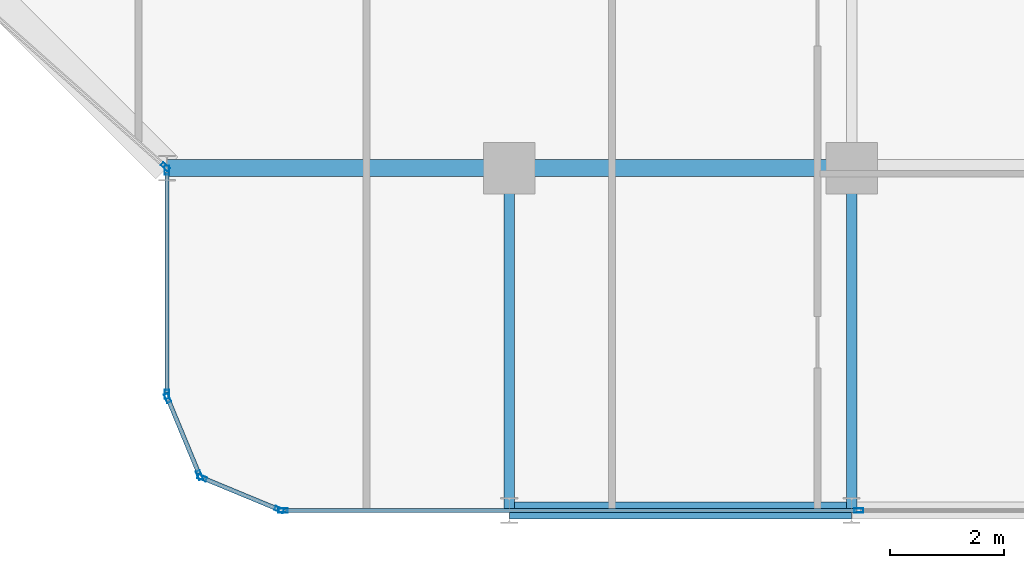
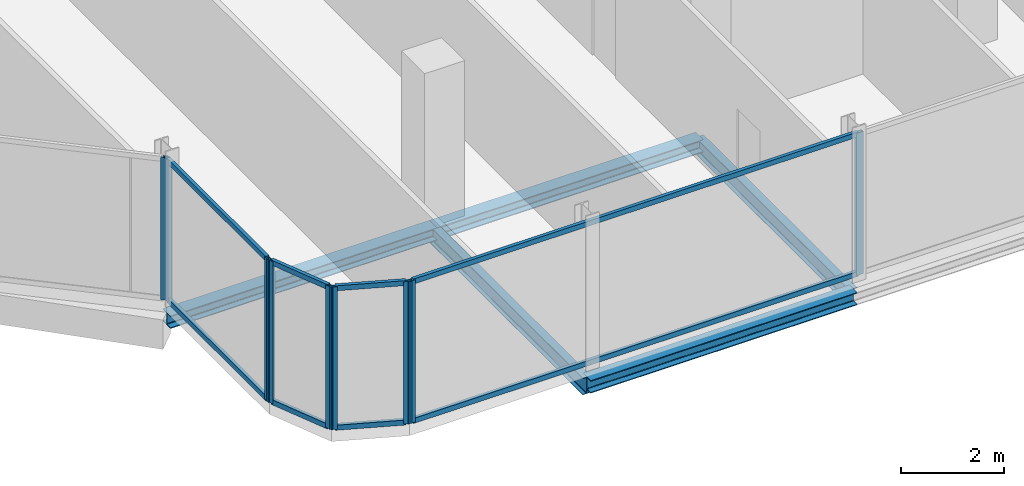
# One storey, part 6 of 29: 17 members, 5 beams, 5 elements without a shape of their own.
"""IFC4 building model written with IfcOpenShell, lengths in metres."""

from ifc_helpers import new_model, si_unit, direction, frame, origin, origin_2d, place, context, subcontext, project, spatial, hollow_rectangle, i_section, extrude, material, layer, layer_set, material_profile, profile_set, type_object, element, aggregate, save


model = new_model("IFC4")

# Units and contexts
model_context = context("Model", 3, precision=1e-05, world=origin(), true_north=direction((0.0, 1.0)))
body_context = subcontext(model_context, "Body", "Model", "MODEL_VIEW")
ifc_project = project(units=[si_unit("LENGTHUNIT", "METRE"), si_unit("AREAUNIT", "SQUARE_METRE"), si_unit("VOLUMEUNIT", "CUBIC_METRE"), si_unit("PLANEANGLEUNIT", "RADIAN"), si_unit("MASSUNIT", "GRAM", prefix="KILO")], contexts=[model_context])

# Site, building, storey
site_placement = place(None, origin())
site = spatial("IfcSite", under=ifc_project, at=site_placement, CompositionType="ELEMENT")
building_placement = place(site_placement, origin())
building = spatial("IfcBuilding", under=site, at=building_placement, Name="Keshet Zoharim Tower", CompositionType="ELEMENT")
storey_placement = place(building_placement, frame((0.0, 0.0, 199.5)))
storey = spatial("IfcBuildingStorey", under=building, at=storey_placement, Name="L49", CompositionType="ELEMENT", Elevation=199.5)

# Beams
ifc_material_1 = material(Name="Steel S355", Category="steel")
ifc_material_profile_1 = material_profile(ifc_material_1, i_section(OverallWidth=0.300048828125, OverallDepth=0.300048828125, WebThickness=0.010986328125, FlangeThickness=0.01904296875, FilletRadius=0.027099609375, at=origin_2d()), Name="HEB300")
ifc_profile_set_1 = profile_set([ifc_material_profile_1], Name="Steel S355")
beam_type_1 = type_object("IfcBeamType", Name="BM-PRI-HB300", PredefinedType="BEAM", material=ifc_profile_set_1)
for number, where, z_axis, x_axis, name in (
    (1, (27.0, 0.699951171875, -0.4599609375), (1.0, 0.0, 0.0), (0.0, 1.0, 0.0), "L49 Primary Girder X-001"),
    (2, (21.0, 6.699951171875, -0.4599609375), (1.0, 0.0, 0.0), (0.0, 1.0, 0.0), "L49 Primary Girder X-005"),
    (3, (27.0, 6.699951171875, -0.4599609375), (1.0, 0.0, 0.0), (0.0, 1.0, 0.0), "L49 Primary Girder X-006"),
):
    element("IfcBeam", number, at=place(storey_placement, frame(where, z_axis=z_axis, x_axis=x_axis)), inside=storey, type_object=beam_type_1, Name=name, PredefinedType="BEAM", context=body_context, shape_type="SweptSolid", body=[
        extrude(i_section(OverallWidth=0.300048828125, OverallDepth=0.300048828125, WebThickness=0.010986328125, FlangeThickness=0.01904296875, FilletRadius=0.027099609375, at=origin_2d()), origin(), (0.0, 0.0, 1.0), 6.0),
    ])
ifc_material_profile_2 = material_profile(ifc_material_1, i_section(OverallWidth=0.179931640625, OverallDepth=0.39990234375, WebThickness=0.008544921875, FlangeThickness=0.013427734375, FilletRadius=0.02099609375, at=origin_2d()), Name="IPE400")
ifc_profile_set_2 = profile_set([ifc_material_profile_2], Name="Steel S355")
beam_type_2 = type_object("IfcBeamType", Name="BM-PRI-IP400", PredefinedType="BEAM", material=ifc_profile_set_2)
for number, where, z_axis, x_axis, name in (
    (4, (27.0, 0.699951171875, -0.510009765625), (0.0, 1.0, 0.0), (-1.0, 0.0, 0.0), "L49 Primary Girder Y-004"),
    (5, (33.0, 0.699951171875, -0.510009765625), (0.0, 1.0, 0.0), (-1.0, 0.0, 0.0), "L49 Primary Girder Y-005"),
):
    element("IfcBeam", number, at=place(storey_placement, frame(where, z_axis=z_axis, x_axis=x_axis)), inside=storey, type_object=beam_type_2, Name=name, PredefinedType="BEAM", context=body_context, shape_type="SweptSolid", body=[
        extrude(i_section(OverallWidth=0.179931640625, OverallDepth=0.39990234375, WebThickness=0.008544921875, FlangeThickness=0.013427734375, FilletRadius=0.02099609375, at=origin_2d()), origin(), (0.0, 0.0, 1.0), 6.0),
    ])

# Curtain wall, members
ifc_material_2 = material(Name="Aluminium 6063-T6", Category="aluminium")
ifc_layer = layer(ifc_material_2, 0.139892578125)
ifc_layer_set = layer_set([ifc_layer], Name="Aluminium 6063-T6")
curtain_wall_type = type_object("IfcCurtainWallType", Name="CW-SYS-05", PredefinedType="NOTDEFINED", material=ifc_layer_set)
curtain_wall_1_placement = place(storey_placement, origin())
curtain_wall_1 = element("IfcCurtainWall", 6, at=curtain_wall_1_placement, inside=storey, type_object=curtain_wall_type, Name="L49 Unitised Curtain Wall 06 Part 3", PredefinedType="NOTDEFINED")
ifc_material_profile_3 = material_profile(ifc_material_2, hollow_rectangle(XDim=0.074951171875, YDim=0.159912109375, WallThickness=0.00390625, at=origin_2d()), Name="MUL-75x160")
ifc_profile_set_3 = profile_set([ifc_material_profile_3], Name="Aluminium 6063-T6")
member_type_1 = type_object("IfcMemberType", Name="CWM-M15", PredefinedType="MULLION", material=ifc_profile_set_3)
member_1_placement = place(storey_placement, frame((33.1259765625, 0.699951171875, 0.0), z_axis=(0.0, 0.0, 1.0), x_axis=(0.0, -1.0, 0.0)))
member_1 = element("IfcMember", 7, at=member_1_placement, type_object=member_type_1, Name="CW-05 mullion 2", PredefinedType="MULLION", context=body_context, shape_type="SweptSolid", body=[
    extrude(hollow_rectangle(XDim=0.074951171875, YDim=0.159912109375, WallThickness=0.00390625, at=origin_2d()), origin(), (0.0, 0.0, 1.0), 3.389892578125),
])
member_2_placement = place(storey_placement, frame((23.034912109375, 0.699951171875, 0.0), z_axis=(0.0, 0.0, 1.0), x_axis=(0.0, -1.0, 0.0)))
member_2 = element("IfcMember", 8, at=member_2_placement, type_object=member_type_1, Name="CW-05 mullion 3", PredefinedType="MULLION", context=body_context, shape_type="SweptSolid", body=[
    extrude(hollow_rectangle(XDim=0.074951171875, YDim=0.159912109375, WallThickness=0.00390625, at=origin_2d()), origin(), (0.0, 0.0, 1.0), 3.389892578125),
])

curtain_wall_2_placement = place(storey_placement, origin())
curtain_wall_2 = element("IfcCurtainWall", 9, at=curtain_wall_2_placement, inside=storey, type_object=curtain_wall_type, Name="L49 Unitised Curtain Wall 07", PredefinedType="NOTDEFINED")
member_3_placement = place(storey_placement, frame((22.9677734375, 0.71337890625, 0.0), z_axis=(0.0, 0.0, 1.0), x_axis=(-0.382851849847, -0.92380975372, 0.0)))
member_3 = element("IfcMember", 10, at=member_3_placement, type_object=member_type_1, Name="CW-05 mullion 1", PredefinedType="MULLION", context=body_context, shape_type="SweptSolid", body=[
    extrude(hollow_rectangle(XDim=0.074951171875, YDim=0.159912109375, WallThickness=0.00390625, at=origin_2d()), origin(), (0.0, 0.0, 1.0), 3.389892578125),
])
member_4_placement = place(storey_placement, frame((21.618408203125, 1.272705078125, 0.0), z_axis=(0.0, 0.0, 1.0), x_axis=(-0.382851849847, -0.92380975372, 0.0)))
member_4 = element("IfcMember", 11, at=member_4_placement, type_object=member_type_1, Name="CW-05 mullion 2", PredefinedType="MULLION", context=body_context, shape_type="SweptSolid", body=[
    extrude(hollow_rectangle(XDim=0.074951171875, YDim=0.159912109375, WallThickness=0.00390625, at=origin_2d()), origin(), (0.0, 0.0, 1.0), 3.389892578125),
])

curtain_wall_3_placement = place(storey_placement, origin())
curtain_wall_3 = element("IfcCurtainWall", 12, at=curtain_wall_3_placement, inside=storey, type_object=curtain_wall_type, Name="L49 Unitised Curtain Wall 08", PredefinedType="NOTDEFINED")
member_5_placement = place(storey_placement, frame((21.572509765625, 1.318359375, 0.0), z_axis=(0.0, 0.0, 1.0), x_axis=(-0.92380975372, -0.382851849847, 0.0)))
member_5 = element("IfcMember", 13, at=member_5_placement, type_object=member_type_1, Name="CW-05 mullion 1", PredefinedType="MULLION", context=body_context, shape_type="SweptSolid", body=[
    extrude(hollow_rectangle(XDim=0.074951171875, YDim=0.159912109375, WallThickness=0.00390625, at=origin_2d()), origin(), (0.0, 0.0, 1.0), 3.389892578125),
])
member_6_placement = place(storey_placement, frame((21.013427734375, 2.667724609375, 0.0), z_axis=(0.0, 0.0, 1.0), x_axis=(-0.92380975372, -0.382851849847, 0.0)))
member_6 = element("IfcMember", 14, at=member_6_placement, type_object=member_type_1, Name="CW-05 mullion 2", PredefinedType="MULLION", context=body_context, shape_type="SweptSolid", body=[
    extrude(hollow_rectangle(XDim=0.074951171875, YDim=0.159912109375, WallThickness=0.00390625, at=origin_2d()), origin(), (0.0, 0.0, 1.0), 3.389892578125),
])

curtain_wall_4_placement = place(storey_placement, origin())
curtain_wall_4 = element("IfcCurtainWall", 15, at=curtain_wall_4_placement, inside=storey, type_object=curtain_wall_type, Name="L49 Unitised Curtain Wall 09", PredefinedType="NOTDEFINED")
member_7_placement = place(storey_placement, frame((21.0, 2.735107421875, 0.0), z_axis=(0.0, 0.0, 1.0), x_axis=(-1.0, 0.0, 0.0)))
member_7 = element("IfcMember", 16, at=member_7_placement, type_object=member_type_1, Name="CW-05 mullion 1", PredefinedType="MULLION", context=body_context, shape_type="SweptSolid", body=[
    extrude(hollow_rectangle(XDim=0.074951171875, YDim=0.159912109375, WallThickness=0.00390625, at=origin_2d()), origin(), (0.0, 0.0, 1.0), 3.389892578125),
])
member_8_placement = place(storey_placement, frame((21.0, 6.6650390625, 0.0), z_axis=(0.0, 0.0, 1.0), x_axis=(-1.0, 0.0, 0.0)))
member_8 = element("IfcMember", 17, at=member_8_placement, type_object=member_type_1, Name="CW-05 mullion 2", PredefinedType="MULLION", context=body_context, shape_type="SweptSolid", body=[
    extrude(hollow_rectangle(XDim=0.074951171875, YDim=0.159912109375, WallThickness=0.00390625, at=origin_2d()), origin(), (0.0, 0.0, 1.0), 3.389892578125),
])

# Curtain wall, member
curtain_wall_5_placement = place(storey_placement, origin())
curtain_wall_5 = element("IfcCurtainWall", 18, at=curtain_wall_5_placement, inside=storey, type_object=curtain_wall_type, Name="L49 Unitised Curtain Wall 10", PredefinedType="NOTDEFINED")
member_9_placement = place(storey_placement, frame((20.973876953125, 6.72314453125, 0.0), z_axis=(0.0, 0.0, 1.0), x_axis=(-0.664367613066, -0.74740596379, 0.0)))
member_9 = element("IfcMember", 19, at=member_9_placement, type_object=member_type_1, Name="CW-05 mullion 1", PredefinedType="MULLION", context=body_context, shape_type="SweptSolid", body=[
    extrude(hollow_rectangle(XDim=0.074951171875, YDim=0.159912109375, WallThickness=0.00390625, at=origin_2d()), origin(), (0.0, 0.0, 1.0), 3.389892578125),
])
aggregate(curtain_wall_5, [member_9])

# Member
ifc_material_profile_4 = material_profile(ifc_material_2, hollow_rectangle(XDim=0.074951171875, YDim=0.1201171875, WallThickness=0.00390625, at=origin_2d()), Name="TRN-75x120")
ifc_profile_set_4 = profile_set([ifc_material_profile_4], Name="Aluminium 6063-T6")
member_type_2 = type_object("IfcMemberType", Name="CWT-T12", PredefinedType="USERDEFINED", material=ifc_profile_set_4)
member_10_placement = place(storey_placement, frame((33.091064453125, 0.699951171875, 0.034912109375), z_axis=(-1.0, 0.0, 0.0), x_axis=(0.0, -1.0, 0.0)))
member_10 = element("IfcMember", 20, at=member_10_placement, type_object=member_type_2, Name="CW-05 transom 2.1", ObjectType="TRANSOM", PredefinedType="USERDEFINED", context=body_context, shape_type="SweptSolid", body=[
    extrude(hollow_rectangle(XDim=0.074951171875, YDim=0.1201171875, WallThickness=0.00390625, at=origin_2d()), origin(), (0.0, 0.0, 1.0), 10.02099609375),
])

member_11_placement = place(storey_placement, frame((33.091064453125, 0.699951171875, 3.35498046875), z_axis=(-1.0, 0.0, 0.0), x_axis=(0.0, -1.0, 0.0)))
member_11 = element("IfcMember", 21, at=member_11_placement, type_object=member_type_2, Name="CW-05 transom 2.2", ObjectType="TRANSOM", PredefinedType="USERDEFINED", context=body_context, shape_type="SweptSolid", body=[
    extrude(hollow_rectangle(XDim=0.074951171875, YDim=0.1201171875, WallThickness=0.00390625, at=origin_2d()), origin(), (0.0, 0.0, 1.0), 10.02099609375),
])

aggregate(curtain_wall_1, [member_1, member_2, member_10, member_11])

member_12_placement = place(storey_placement, frame((22.935302734375, 0.726806640625, 0.034912109375), z_axis=(-0.92379209995, 0.382894445076, 0.0), x_axis=(-0.382894445076, -0.92379209995, 0.0)))
member_12 = element("IfcMember", 22, at=member_12_placement, type_object=member_type_2, Name="CW-05 transom 1.1", ObjectType="TRANSOM", PredefinedType="USERDEFINED", context=body_context, shape_type="SweptSolid", body=[
    extrude(hollow_rectangle(XDim=0.074951171875, YDim=0.1201171875, WallThickness=0.00390625, at=origin_2d()), origin(), (0.0, 0.0, 1.0), 1.390625),
])

member_13_placement = place(storey_placement, frame((22.935302734375, 0.726806640625, 3.35498046875), z_axis=(-0.92379209995, 0.382894445076, 0.0), x_axis=(-0.382894445076, -0.92379209995, 0.0)))
member_13 = element("IfcMember", 23, at=member_13_placement, type_object=member_type_2, Name="CW-05 transom 1.2", ObjectType="TRANSOM", PredefinedType="USERDEFINED", context=body_context, shape_type="SweptSolid", body=[
    extrude(hollow_rectangle(XDim=0.074951171875, YDim=0.1201171875, WallThickness=0.00390625, at=origin_2d()), origin(), (0.0, 0.0, 1.0), 1.390625),
])

aggregate(curtain_wall_2, [member_3, member_4, member_12, member_13])

member_14_placement = place(storey_placement, frame((21.55908203125, 1.3505859375, 0.034912109375), z_axis=(-0.382744609247, 0.923854189844, 0.0), x_axis=(-0.923854189844, -0.382744609247, 0.0)))
member_14 = element("IfcMember", 24, at=member_14_placement, type_object=member_type_2, Name="CW-05 transom 1.1", ObjectType="TRANSOM", PredefinedType="USERDEFINED", context=body_context, shape_type="SweptSolid", body=[
    extrude(hollow_rectangle(XDim=0.074951171875, YDim=0.1201171875, WallThickness=0.00390625, at=origin_2d()), origin(), (0.0, 0.0, 1.0), 1.390625),
])

member_15_placement = place(storey_placement, frame((21.55908203125, 1.3505859375, 3.35498046875), z_axis=(-0.382744609247, 0.923854189844, 0.0), x_axis=(-0.923854189844, -0.382744609247, 0.0)))
member_15 = element("IfcMember", 25, at=member_15_placement, type_object=member_type_2, Name="CW-05 transom 1.2", ObjectType="TRANSOM", PredefinedType="USERDEFINED", context=body_context, shape_type="SweptSolid", body=[
    extrude(hollow_rectangle(XDim=0.074951171875, YDim=0.1201171875, WallThickness=0.00390625, at=origin_2d()), origin(), (0.0, 0.0, 1.0), 1.390625),
])

aggregate(curtain_wall_3, [member_5, member_6, member_14, member_15])

member_16_placement = place(storey_placement, frame((21.0, 2.77001953125, 0.034912109375), z_axis=(0.0, 1.0, 0.0), x_axis=(-1.0, 0.0, 0.0)))
member_16 = element("IfcMember", 26, at=member_16_placement, type_object=member_type_2, Name="CW-05 transom 1.1", ObjectType="TRANSOM", PredefinedType="USERDEFINED", context=body_context, shape_type="SweptSolid", body=[
    extrude(hollow_rectangle(XDim=0.074951171875, YDim=0.1201171875, WallThickness=0.00390625, at=origin_2d()), origin(), (0.0, 0.0, 1.0), 3.85986328125),
])

member_17_placement = place(storey_placement, frame((21.0, 2.77001953125, 3.35498046875), z_axis=(0.0, 1.0, 0.0), x_axis=(-1.0, 0.0, 0.0)))
member_17 = element("IfcMember", 27, at=member_17_placement, type_object=member_type_2, Name="CW-05 transom 1.2", ObjectType="TRANSOM", PredefinedType="USERDEFINED", context=body_context, shape_type="SweptSolid", body=[
    extrude(hollow_rectangle(XDim=0.074951171875, YDim=0.1201171875, WallThickness=0.00390625, at=origin_2d()), origin(), (0.0, 0.0, 1.0), 3.85986328125),
])

aggregate(curtain_wall_4, [member_7, member_8, member_16, member_17])

save(model, "model.ifc")
